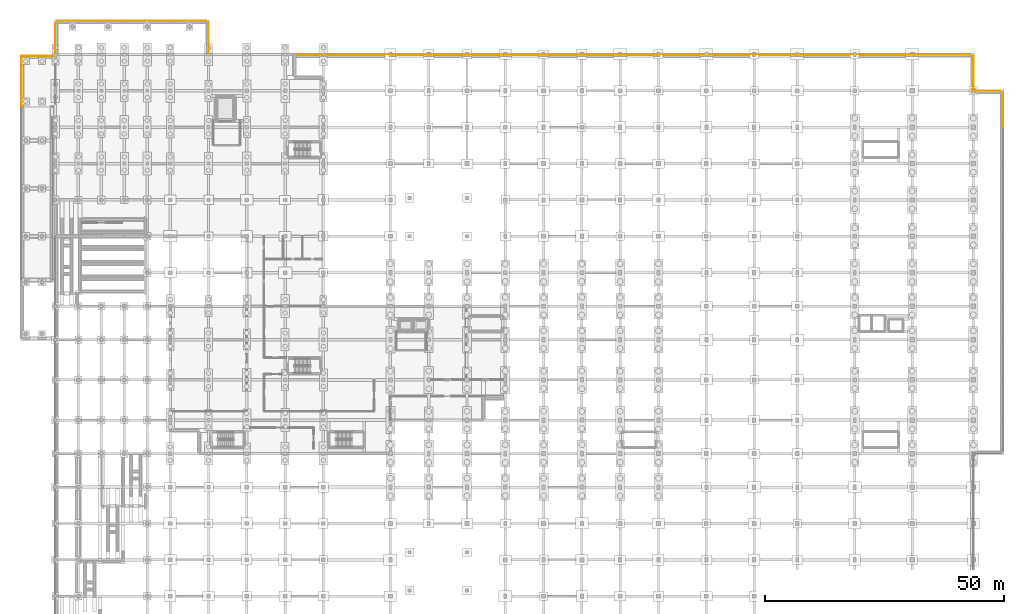
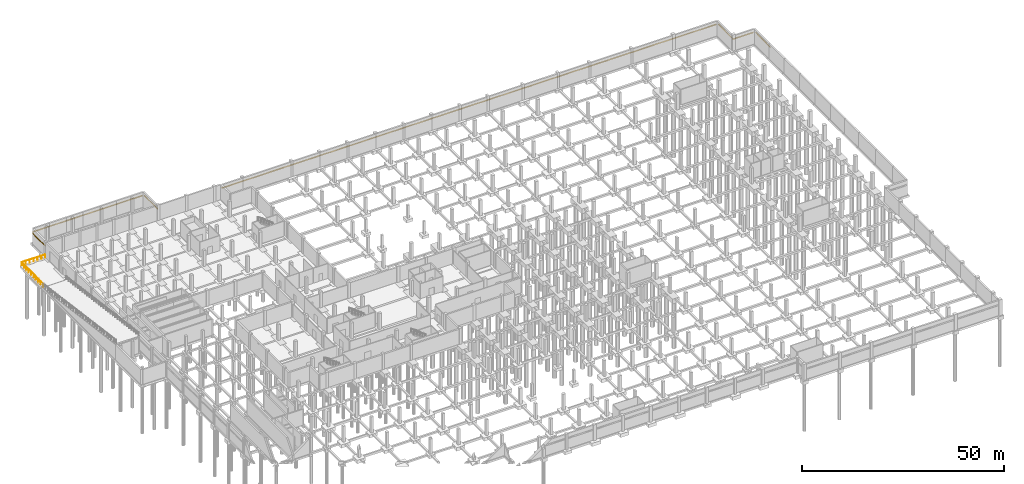
# One storey, part 49 of 50: 26 coverings, 2 railings.
"""IFC4 building model written with IfcOpenShell, lengths in metres."""

from ifc_helpers import new_model, si_unit, direction, frame, origin, origin_2d, place, context, subcontext, project, spatial, rectangle, circle, extrude, material, layer, layer_set, type_object, element, save


model = new_model("IFC4")

# Units and contexts
model_context = context("Model", 3, precision=1e-05, world=origin(), true_north=direction((0.0, 1.0)))
body_context = subcontext(model_context, "Body", "Model", "MODEL_VIEW")
ifc_project = project(units=[si_unit("LENGTHUNIT", "METRE"), si_unit("AREAUNIT", "SQUARE_METRE"), si_unit("VOLUMEUNIT", "CUBIC_METRE"), si_unit("PLANEANGLEUNIT", "RADIAN"), si_unit("MASSUNIT", "GRAM", prefix="KILO")], contexts=[model_context])

# Site, building, storey
site_placement = place(None, origin())
site = spatial("IfcSite", under=ifc_project, at=site_placement, CompositionType="ELEMENT")
building_placement = place(site_placement, origin())
building = spatial("IfcBuilding", under=site, at=building_placement, Name="Vekula Escarpment Museum", CompositionType="ELEMENT")
storey_placement = place(building_placement, frame((0.0, 0.0, -4.800048828125)))
storey = spatial("IfcBuildingStorey", under=building, at=storey_placement, Name="B1", CompositionType="ELEMENT", Elevation=-4.800048828125)

# Coverings
ifc_material_1 = material(Name="Polychrome limestone almasik string-course band", Category="masonry")
ifc_layer = layer(ifc_material_1, 0.06005859375)
ifc_layer_set = layer_set([ifc_layer], Name="Polychrome limestone almasik string-course band")
covering_type = type_object("IfcCoveringType", Name="COV-ALM-BAND", PredefinedType="CLADDING", material=ifc_layer_set)
covering_1_placement = place(storey_placement, frame((198.02587890625, 124.487548828125, 3.06982421875), z_axis=(0.0, 0.0, 1.0), x_axis=(0.0, 1.0, 0.0)))
element("IfcCovering", 1, at=covering_1_placement, inside=storey, type_object=covering_type, Name="Plinth Almasik Stone Band 0736", PredefinedType="CLADDING", context=body_context, shape_type="SweptSolid", body=[
    extrude(rectangle(XDim=7.2548828125, YDim=0.06005859375, at=origin_2d()), origin(), (0.0, 0.0, 1.0), 0.260009765625),
])
covering_2_placement = place(storey_placement, frame((194.560546875, 128.426025390625, 3.06982421875), z_axis=(0.0, 0.0, 1.0), x_axis=(1.0, 0.0, 0.0)))
element("IfcCovering", 2, at=covering_2_placement, inside=storey, type_object=covering_type, Name="Plinth Almasik Stone Band 0737", PredefinedType="CLADDING", context=body_context, shape_type="SweptSolid", body=[
    extrude(rectangle(XDim=5.85107421875, YDim=0.06005859375, at=origin_2d()), origin(), (0.0, 0.0, 1.0), 0.260009765625),
])
covering_3_placement = place(storey_placement, frame((191.825927734375, 132.089599609375, 3.06982421875), z_axis=(0.0, 0.0, 1.0), x_axis=(0.0, 1.0, 0.0)))
element("IfcCovering", 3, at=covering_3_placement, inside=storey, type_object=covering_type, Name="Plinth Almasik Stone Band 0738", PredefinedType="CLADDING", context=body_context, shape_type="SweptSolid", body=[
    extrude(rectangle(XDim=7.2509765625, YDim=0.06005859375, at=origin_2d()), origin(), (0.0, 0.0, 1.0), 0.260009765625),
])
covering_4_placement = place(storey_placement, frame((185.173095703125, 136.02587890625, 3.06982421875), z_axis=(0.0, 0.0, 1.0), x_axis=(1.0, 0.0, 0.0)))
element("IfcCovering", 4, at=covering_4_placement, inside=storey, type_object=covering_type, Name="Plinth Almasik Stone Band 0739", PredefinedType="CLADDING", context=body_context, shape_type="SweptSolid", body=[
    extrude(rectangle(XDim=12.22607421875, YDim=0.06005859375, at=origin_2d()), origin(), (0.0, 0.0, 1.0), 0.260009765625),
])
for number, where, z_axis, x_axis, name in (
    (5, (173.0, 136.02587890625, 3.06982421875), (0.0, 0.0, 1.0), (1.0, 0.0, 0.0), "Plinth Almasik Stone Band 0740"),
    (6, (161.0, 136.02587890625, 3.06982421875), (0.0, 0.0, 1.0), (1.0, 0.0, 0.0), "Plinth Almasik Stone Band 0741"),
):
    element("IfcCovering", number, at=place(storey_placement, frame(where, z_axis=z_axis, x_axis=x_axis)), inside=storey, type_object=covering_type, Name=name, PredefinedType="CLADDING", context=body_context, shape_type="SweptSolid", body=[
        extrude(rectangle(XDim=11.8798828125, YDim=0.06005859375, at=origin_2d()), origin(), (0.0, 0.0, 1.0), 0.260009765625),
    ])
covering_5_placement = place(storey_placement, frame((150.5, 136.02587890625, 3.06982421875), z_axis=(0.0, 0.0, 1.0), x_axis=(1.0, 0.0, 0.0)))
element("IfcCovering", 7, at=covering_5_placement, inside=storey, type_object=covering_type, Name="Plinth Almasik Stone Band 0742", PredefinedType="CLADDING", context=body_context, shape_type="SweptSolid", body=[
    extrude(rectangle(XDim=8.8798828125, YDim=0.06005859375, at=origin_2d()), origin(), (0.0, 0.0, 1.0), 0.260009765625),
])
for number, where, z_axis, x_axis, name in (
    (8, (141.0, 136.02587890625, 3.06982421875), (0.0, 0.0, 1.0), (1.0, 0.0, 0.0), "Plinth Almasik Stone Band 0743"),
    (9, (131.0, 136.02587890625, 3.06982421875), (0.0, 0.0, 1.0), (1.0, 0.0, 0.0), "Plinth Almasik Stone Band 0744"),
):
    element("IfcCovering", number, at=place(storey_placement, frame(where, z_axis=z_axis, x_axis=x_axis)), inside=storey, type_object=covering_type, Name=name, PredefinedType="CLADDING", context=body_context, shape_type="SweptSolid", body=[
        extrude(rectangle(XDim=9.8798828125, YDim=0.06005859375, at=origin_2d()), origin(), (0.0, 0.0, 1.0), 0.260009765625),
    ])
for number, where, z_axis, x_axis, name in (
    (10, (122.0, 136.02587890625, 3.06982421875), (0.0, 0.0, 1.0), (1.0, 0.0, 0.0), "Plinth Almasik Stone Band 0745"),
    (11, (114.0, 136.02587890625, 3.06982421875), (0.0, 0.0, 1.0), (1.0, 0.0, 0.0), "Plinth Almasik Stone Band 0746"),
    (12, (106.0, 136.02587890625, 3.06982421875), (0.0, 0.0, 1.0), (1.0, 0.0, 0.0), "Plinth Almasik Stone Band 0747"),
    (13, (98.0, 136.02587890625, 3.06982421875), (0.0, 0.0, 1.0), (1.0, 0.0, 0.0), "Plinth Almasik Stone Band 0748"),
    (14, (90.0, 136.02587890625, 3.06982421875), (0.0, 0.0, 1.0), (1.0, 0.0, 0.0), "Plinth Almasik Stone Band 0749"),
    (15, (82.0, 136.02587890625, 3.06982421875), (0.0, 0.0, 1.0), (1.0, 0.0, 0.0), "Plinth Almasik Stone Band 0750"),
    (16, (74.0, 136.02587890625, 3.06982421875), (0.0, 0.0, 1.0), (1.0, 0.0, 0.0), "Plinth Almasik Stone Band 0751"),
):
    element("IfcCovering", number, at=place(storey_placement, frame(where, z_axis=z_axis, x_axis=x_axis)), inside=storey, type_object=covering_type, Name=name, PredefinedType="CLADDING", context=body_context, shape_type="SweptSolid", body=[
        extrude(rectangle(XDim=7.8798828125, YDim=0.06005859375, at=origin_2d()), origin(), (0.0, 0.0, 1.0), 0.260009765625),
    ])
covering_6_placement = place(storey_placement, frame((63.0, 136.02587890625, 3.06982421875), z_axis=(0.0, 0.0, 1.0), x_axis=(1.0, 0.0, 0.0)))
element("IfcCovering", 17, at=covering_6_placement, inside=storey, type_object=covering_type, Name="Plinth Almasik Stone Band 0752", PredefinedType="CLADDING", context=body_context, shape_type="SweptSolid", body=[
    extrude(rectangle(XDim=13.8798828125, YDim=0.06005859375, at=origin_2d()), origin(), (0.0, 0.0, 1.0), 0.260009765625),
])
covering_7_placement = place(storey_placement, frame((53.114501953125, 136.02587890625, 3.06982421875), z_axis=(0.0, 0.0, 1.0), x_axis=(1.0, 0.0, 0.0)))
element("IfcCovering", 18, at=covering_7_placement, inside=storey, type_object=covering_type, Name="Plinth Almasik Stone Band 0753", PredefinedType="CLADDING", context=body_context, shape_type="SweptSolid", body=[
    extrude(rectangle(XDim=5.65087890625, YDim=0.06005859375, at=origin_2d()), origin(), (0.0, 0.0, 1.0), 0.260009765625),
])
covering_8_placement = place(storey_placement, frame((32.02587890625, 139.501953125, 3.06982421875), z_axis=(0.0, 0.0, 1.0), x_axis=(0.0, 1.0, 0.0)))
element("IfcCovering", 19, at=covering_8_placement, inside=storey, type_object=covering_type, Name="Plinth Almasik Stone Band 0754", PredefinedType="CLADDING", context=body_context, shape_type="SweptSolid", body=[
    extrude(rectangle(XDim=6.426025390625, YDim=0.06005859375, at=origin_2d()), origin(), (0.0, 0.0, 1.0), 0.260009765625),
])
covering_9_placement = place(storey_placement, frame((27.77294921875, 143.02587890625, 3.06982421875), z_axis=(0.0, 0.0, 1.0), x_axis=(1.0, 0.0, 0.0)))
element("IfcCovering", 20, at=covering_9_placement, inside=storey, type_object=covering_type, Name="Plinth Almasik Stone Band 0755", PredefinedType="CLADDING", context=body_context, shape_type="SweptSolid", body=[
    extrude(rectangle(XDim=7.426025390625, YDim=0.06005859375, at=origin_2d()), origin(), (0.0, 0.0, 1.0), 0.260009765625),
])
for number, where, z_axis, x_axis, name in (
    (21, (21.60009765625, 143.02587890625, 3.06982421875), (0.0, 0.0, 1.0), (1.0, 0.0, 0.0), "Plinth Almasik Stone Band 0756"),
    (22, (16.800048828125, 143.02587890625, 3.06982421875), (0.0, 0.0, 1.0), (1.0, 0.0, 0.0), "Plinth Almasik Stone Band 0757"),
    (23, (12.0, 143.02587890625, 3.06982421875), (0.0, 0.0, 1.0), (1.0, 0.0, 0.0), "Plinth Almasik Stone Band 0758"),
    (24, (7.199951171875, 143.02587890625, 3.06982421875), (0.0, 0.0, 1.0), (1.0, 0.0, 0.0), "Plinth Almasik Stone Band 0759"),
):
    element("IfcCovering", number, at=place(storey_placement, frame(where, z_axis=z_axis, x_axis=x_axis)), inside=storey, type_object=covering_type, Name=name, PredefinedType="CLADDING", context=body_context, shape_type="SweptSolid", body=[
        extrude(rectangle(XDim=4.679931640625, YDim=0.06005859375, at=origin_2d()), origin(), (0.0, 0.0, 1.0), 0.260009765625),
    ])
covering_10_placement = place(storey_placement, frame((2.512451171875, 143.02587890625, 3.06982421875), z_axis=(0.0, 0.0, 1.0), x_axis=(1.0, 0.0, 0.0)))
element("IfcCovering", 25, at=covering_10_placement, inside=storey, type_object=covering_type, Name="Plinth Almasik Stone Band 0760", PredefinedType="CLADDING", context=body_context, shape_type="SweptSolid", body=[
    extrude(rectangle(XDim=4.455078125, YDim=0.06005859375, at=origin_2d()), origin(), (0.0, 0.0, 1.0), 0.260009765625),
])
covering_11_placement = place(storey_placement, frame((-0.02587890625, 139.387451171875, 3.06982421875), z_axis=(0.0, 0.0, 1.0), x_axis=(0.0, 1.0, 0.0)))
element("IfcCovering", 26, at=covering_11_placement, inside=storey, type_object=covering_type, Name="Plinth Almasik Stone Band 0761", PredefinedType="CLADDING", context=body_context, shape_type="SweptSolid", body=[
    extrude(rectangle(XDim=6.197021484375, YDim=0.06005859375, at=origin_2d()), origin(), (0.0, 0.0, 1.0), 0.260009765625),
])

# Railings
ifc_material_2 = material(Name="Bronze-coated Steel S355 balustrade", Category="steel")
railing_type = type_object("IfcRailingType", Name="RL-TER-GUARD", PredefinedType="GUARDRAIL", material=ifc_material_2)
railing_1_placement = place(storey_placement, frame((-7.080078125, 125.050048828125, 0.0)))
element("IfcRailing", 27, at=railing_1_placement, inside=storey, type_object=railing_type, Name="Vehicle Ramp Guardrail RL-B1DRV-W", PredefinedType="GUARDRAIL", context=body_context, shape_type="SweptSolid", body=[
    extrude(circle(Radius=0.02392578125, at=origin_2d()), frame((0.0, 0.0, 1.076171875), z_axis=(0.0, 1.0, 0.0), x_axis=(-1.0, 0.0, 0.0)), (0.0, 0.0, 1.0), 10.6298828125),
    extrude(circle(Radius=0.02099609375, at=origin_2d()), origin(), (0.0, 0.0, 1.0), 1.052001953125),
    extrude(circle(Radius=0.02099609375, at=origin_2d()), frame((0.0, 1.18115234375, 0.0)), (0.0, 0.0, 1.0), 1.052001953125),
    extrude(circle(Radius=0.02099609375, at=origin_2d()), frame((0.0, 2.3623046875, 0.0)), (0.0, 0.0, 1.0), 1.052001953125),
    extrude(circle(Radius=0.02099609375, at=origin_2d()), frame((0.0, 3.543212890625, 0.0)), (0.0, 0.0, 1.0), 1.052001953125),
    extrude(circle(Radius=0.02099609375, at=origin_2d()), frame((0.0, 4.724365234375, 0.0)), (0.0, 0.0, 1.0), 1.052001953125),
    extrude(circle(Radius=0.02099609375, at=origin_2d()), frame((0.0, 5.905517578125, 0.0)), (0.0, 0.0, 1.0), 1.052001953125),
    extrude(circle(Radius=0.02099609375, at=origin_2d()), frame((0.0, 7.086669921875, 0.0)), (0.0, 0.0, 1.0), 1.052001953125),
    extrude(circle(Radius=0.02099609375, at=origin_2d()), frame((0.0, 8.267578125, 0.0)), (0.0, 0.0, 1.0), 1.052001953125),
    extrude(circle(Radius=0.02099609375, at=origin_2d()), frame((0.0, 9.44873046875, 0.0)), (0.0, 0.0, 1.0), 1.052001953125),
    extrude(circle(Radius=0.02099609375, at=origin_2d()), frame((0.0, 10.6298828125, 0.0)), (0.0, 0.0, 1.0), 1.052001953125),
])
railing_2_placement = place(storey_placement, frame((-7.02001953125, 135.679931640625, 0.0)))
element("IfcRailing", 28, at=railing_2_placement, inside=storey, type_object=railing_type, Name="Vehicle Ramp Guardrail RL-B1DRV-N", PredefinedType="GUARDRAIL", context=body_context, shape_type="SweptSolid", body=[
    extrude(circle(Radius=0.02392578125, at=origin_2d()), frame((0.0, 0.0, 1.076171875), z_axis=(1.0, 0.0, 0.0), x_axis=(0.0, 1.0, 0.0)), (0.0, 0.0, 1.0), 6.669921875),
    extrude(circle(Radius=0.02099609375, at=origin_2d()), origin(), (0.0, 0.0, 1.0), 1.052001953125),
    extrude(circle(Radius=0.02099609375, at=origin_2d()), frame((1.111572265625, 0.0, 0.0)), (0.0, 0.0, 1.0), 1.052001953125),
    extrude(circle(Radius=0.02099609375, at=origin_2d()), frame((2.223388671875, 0.0, 0.0)), (0.0, 0.0, 1.0), 1.052001953125),
    extrude(circle(Radius=0.02099609375, at=origin_2d()), frame((3.3349609375, 0.0, 0.0)), (0.0, 0.0, 1.0), 1.052001953125),
    extrude(circle(Radius=0.02099609375, at=origin_2d()), frame((4.446533203125, 0.0, 0.0)), (0.0, 0.0, 1.0), 1.052001953125),
    extrude(circle(Radius=0.02099609375, at=origin_2d()), frame((5.558349609375, 0.0, 0.0)), (0.0, 0.0, 1.0), 1.052001953125),
    extrude(circle(Radius=0.02099609375, at=origin_2d()), frame((6.669921875, 0.0, 0.0)), (0.0, 0.0, 1.0), 1.052001953125),
])

save(model, "model.ifc")
